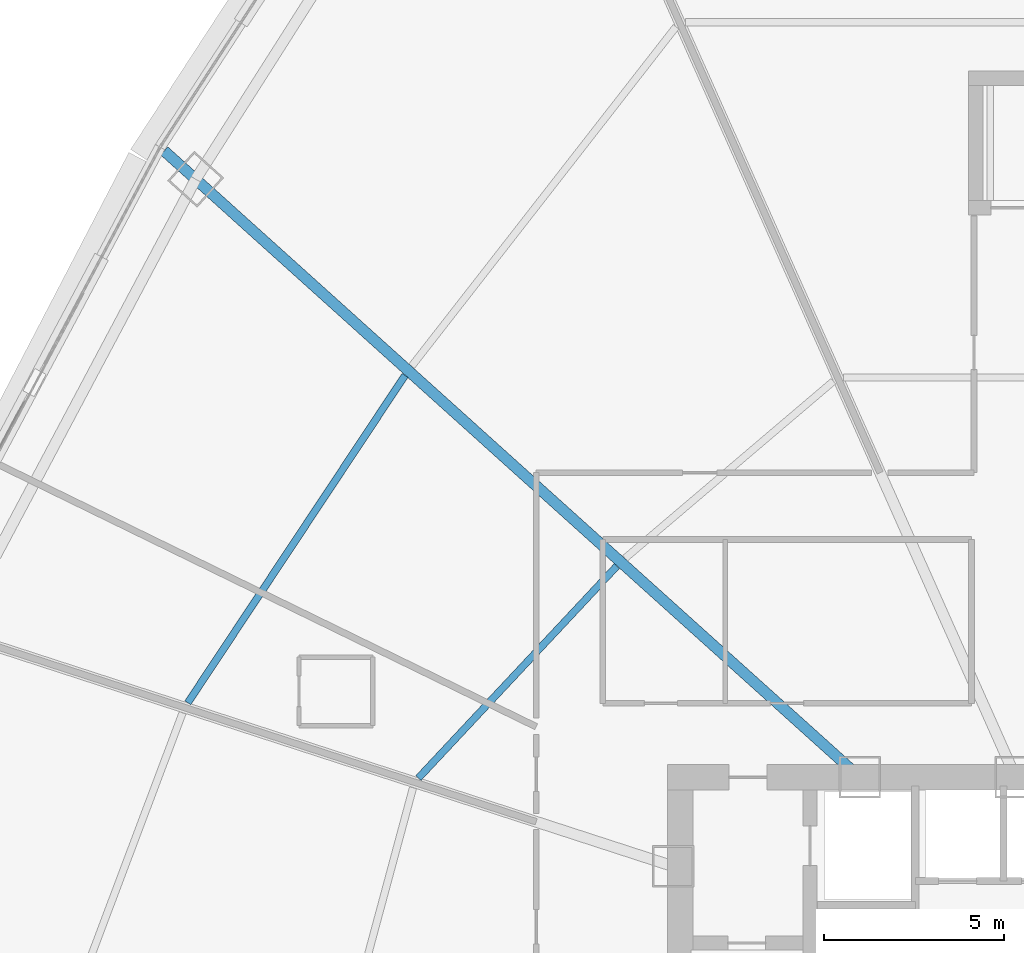
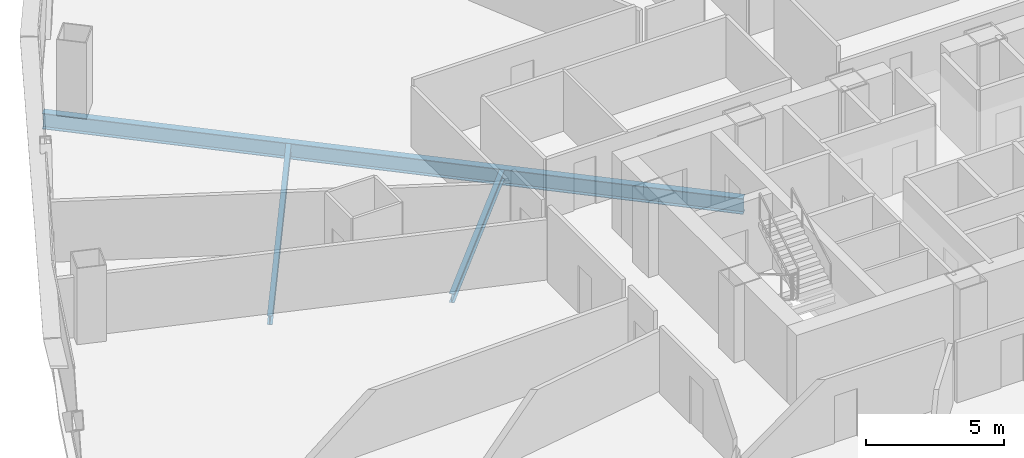
# One storey, part 15 of 37: 3 beams.
"""IFC4 building model written with IfcOpenShell, lengths in metres."""

from ifc_helpers import new_model, si_unit, direction, frame, origin, origin_2d, place, context, subcontext, project, spatial, i_section, extrude, source, transform, mapped, material, material_profile, profile_set, type_object, element, save


model = new_model("IFC4")

# Units and contexts
model_context = context("Model", 3, precision=1e-05, world=origin(), true_north=direction((0.0, 1.0)))
body_context = subcontext(model_context, "Body", "Model", "MODEL_VIEW")
ifc_project = project(units=[si_unit("LENGTHUNIT", "METRE"), si_unit("AREAUNIT", "SQUARE_METRE"), si_unit("VOLUMEUNIT", "CUBIC_METRE"), si_unit("PLANEANGLEUNIT", "RADIAN"), si_unit("MASSUNIT", "GRAM", prefix="KILO"), si_unit("THERMODYNAMICTEMPERATUREUNIT", "KELVIN"), si_unit("POWERUNIT", "WATT")], contexts=[model_context])

# Site, building, storey
site_placement = place(None, origin())
site = spatial("IfcSite", under=ifc_project, at=site_placement, CompositionType="ELEMENT")
building_placement = place(site_placement, origin())
building = spatial("IfcBuilding", under=site, at=building_placement, Name="Yunzhuo Pagoda Commons", CompositionType="ELEMENT")
storey_placement = place(building_placement, frame((0.0, 0.0, 52.179931640625)))
storey = spatial("IfcBuildingStorey", under=building, at=storey_placement, Name="L13", CompositionType="ELEMENT", Elevation=52.179931640625)

# Beams
ifc_material = material(Name="Structural steel Q355B", Category="steel")
ifc_material_profile_1 = material_profile(ifc_material, i_section(OverallWidth=0.199951171875, OverallDepth=0.39990234375, WebThickness=0.008056640625, FlangeThickness=0.012939453125, at=origin_2d()), Name="Structural steel Q355B")
ifc_profile_set_1 = profile_set([ifc_material_profile_1], Name="Structural steel Q355B")
beam_type_1 = type_object("IfcBeamType", Name="B-JS1 Joist HN 400x200x8x13", PredefinedType="JOIST", material=ifc_profile_set_1)
shared_shape_1 = source(origin(), body_context, "Body", "SweptSolid", [
    extrude(i_section(OverallWidth=0.199951171875, OverallDepth=0.39990234375, WebThickness=0.008056640625, FlangeThickness=0.012939453125, at=origin_2d()), origin(), (0.0, 0.0, 1.0), 8.055908203125),
])
beam_1_placement = place(storey_placement, frame((34.03759765625, 46.057861328125, -0.4599609375), z_axis=(-0.683432879027, -0.730013355949, 0.0), x_axis=(0.730013355949, -0.683432879027, 0.0)))
element("IfcBeam", 1, at=beam_1_placement, inside=storey, type_object=beam_type_1, Name="L13 composite ring joist 1.10", PredefinedType="JOIST", context=body_context, shape_type="MappedRepresentation", body=[
    mapped(shared_shape_1, transform((0.0, 0.0, 0.0), scale=1.0)),
])
shared_shape_2 = source(origin(), body_context, "Body", "SweptSolid", [
    extrude(i_section(OverallWidth=0.199951171875, OverallDepth=0.39990234375, WebThickness=0.008056640625, FlangeThickness=0.012939453125, at=origin_2d()), origin(), (0.0, 0.0, 1.0), 10.904052734375),
])
beam_2_placement = place(storey_placement, frame((28.160888671875, 51.351806640625, -0.4599609375), z_axis=(-0.552916349928, -0.833236767061, 0.0), x_axis=(0.833236767061, -0.552916349928, 0.0)))
element("IfcBeam", 2, at=beam_2_placement, inside=storey, type_object=beam_type_1, Name="L13 composite ring joist 2.10", PredefinedType="JOIST", context=body_context, shape_type="MappedRepresentation", body=[
    mapped(shared_shape_2, transform((0.0, 0.0, 0.0), scale=1.0)),
])
ifc_material_profile_2 = material_profile(ifc_material, i_section(OverallWidth=0.300048828125, OverallDepth=0.699951171875, WebThickness=0.012939453125, FlangeThickness=0.02392578125, at=origin_2d()), Name="Structural steel Q355B")
ifc_profile_set_2 = profile_set([ifc_material_profile_2], Name="Structural steel Q355B")
beam_type_2 = type_object("IfcBeamType", Name="B-RG1 Beam HN 700x300x13x24", PredefinedType="BEAM", material=ifc_profile_set_2)
shared_shape_3 = source(origin(), body_context, "Body", "SweptSolid", [
    extrude(i_section(OverallWidth=0.300048828125, OverallDepth=0.699951171875, WebThickness=0.012939453125, FlangeThickness=0.02392578125, at=origin_2d()), origin(), (0.0, 0.0, 1.0), 25.97607421875),
])
beam_3_placement = place(storey_placement, frame((21.47705078125, 57.581298828125, -0.60986328125), z_axis=(0.743145046906, -0.669130360437, 0.0), x_axis=(0.669130360437, 0.743145046906, 0.0)))
element("IfcBeam", 3, at=beam_3_placement, inside=storey, type_object=beam_type_2, Name="L13 radial floor girder F3C2", PredefinedType="BEAM", context=body_context, shape_type="MappedRepresentation", body=[
    mapped(shared_shape_3, transform((0.0, 0.0, 0.0), scale=1.0)),
])

save(model, "model.ifc")
